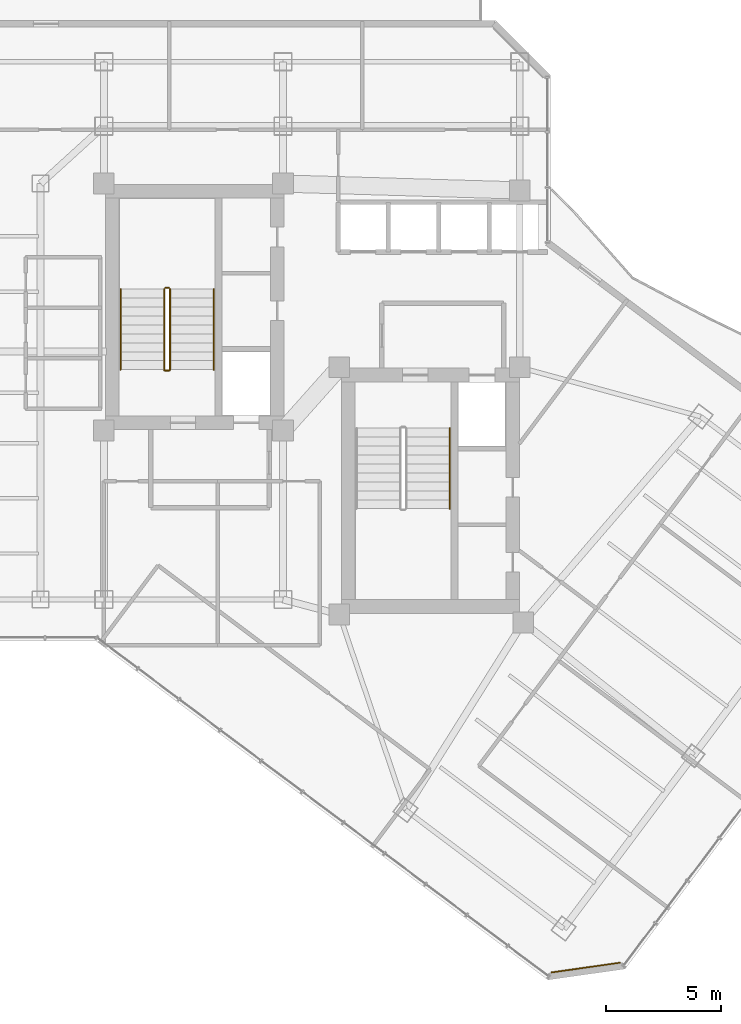
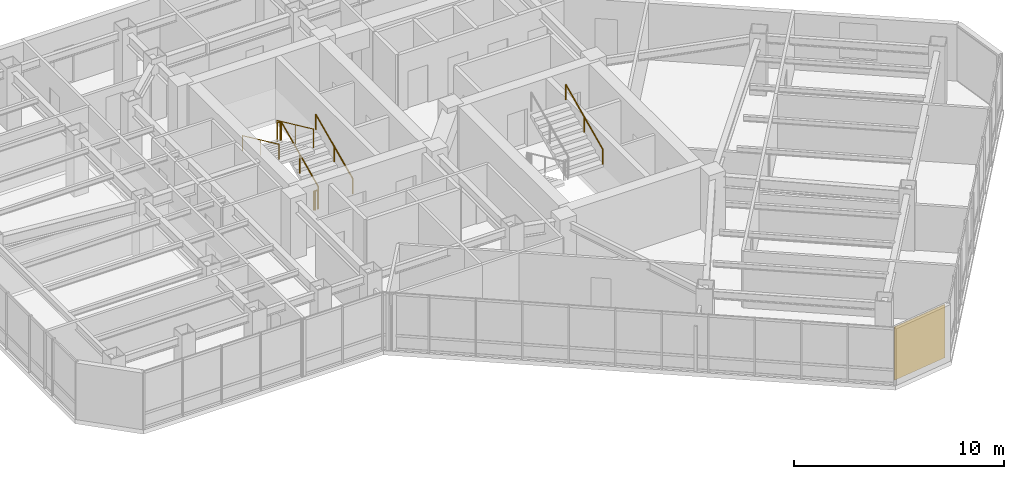
# One storey, part 28 of 29: 8 railings, 1 covering.
"""IFC4 building model written with IfcOpenShell, lengths in metres."""

from ifc_helpers import new_model, si_unit, direction, frame, origin, origin_2d, place, context, subcontext, project, spatial, rectangle, circle, extrude, material, layer, layer_set, type_object, element, save


model = new_model("IFC4")

# Units and contexts
model_context = context("Model", 3, precision=1e-05, world=origin(), true_north=direction((0.0, 1.0)))
body_context = subcontext(model_context, "Body", "Model", "MODEL_VIEW")
ifc_project = project(units=[si_unit("LENGTHUNIT", "METRE"), si_unit("AREAUNIT", "SQUARE_METRE"), si_unit("VOLUMEUNIT", "CUBIC_METRE"), si_unit("PLANEANGLEUNIT", "RADIAN"), si_unit("MASSUNIT", "GRAM", prefix="KILO")], contexts=[model_context])

# Site, building, storey
site_placement = place(None, origin())
site = spatial("IfcSite", under=ifc_project, at=site_placement, CompositionType="ELEMENT")
building_placement = place(site_placement, origin())
building = spatial("IfcBuilding", under=site, at=building_placement, Name="Hatsunagi Terrace Concourse", CompositionType="ELEMENT")
storey_placement = place(building_placement, frame((0.0, 0.0, 178.050048828125)))
storey = spatial("IfcBuildingStorey", under=building, at=storey_placement, Name="L47", CompositionType="ELEMENT", Elevation=178.050048828125)

# Railings
ifc_material_1 = material(Name="Stainless steel", Category="steel")
ifc_layer_1 = layer(ifc_material_1, 0.044921875)
ifc_layer_set_1 = layer_set([ifc_layer_1], Name="StairPitchHandrail_Tower2000")
railing_type_1 = type_object("IfcRailingType", Name="StairPitchHandrail_Tower2000", PredefinedType="HANDRAIL", material=ifc_layer_set_1)
railing_1_placement = place(storey_placement, frame((30.330078125, 35.199951171875, 0.179931640625)))
element("IfcRailing", 1, at=railing_1_placement, inside=storey, type_object=railing_type_1, Name="L47 ST-A stair handrail 1", PredefinedType="HANDRAIL", context=body_context, shape_type="SweptSolid", body=[
    extrude(circle(Radius=0.02392578125, at=origin_2d()), frame((0.0, 0.0, 0.8759765625), z_axis=(0.0, 0.907948293929, 0.419082206198), x_axis=(-1.0, 0.0, 0.0)), (0.0, 0.0, 1.0), 3.865966796875),
    extrude(circle(Radius=0.02099609375, at=origin_2d()), origin(), (0.0, 0.0, 1.0), 0.851806640625),
    extrude(circle(Radius=0.02099609375, at=origin_2d()), frame((0.0, 1.7548828125, 0.81005859375)), (0.0, 0.0, 1.0), 0.851806640625),
    extrude(circle(Radius=0.02099609375, at=origin_2d()), frame((0.0, 3.510009765625, 1.6201171875)), (0.0, 0.0, 1.0), 0.851806640625),
])
railing_2_placement = place(storey_placement, frame((26.280029296875, 38.7099609375, 1.97998046875)))
element("IfcRailing", 2, at=railing_2_placement, inside=storey, type_object=railing_type_1, Name="L47 ST-A stair handrail 2", PredefinedType="HANDRAIL", context=body_context, shape_type="SweptSolid", body=[
    extrude(circle(Radius=0.02392578125, at=origin_2d()), frame((0.0, 0.0, 0.8759765625), z_axis=(0.0, -0.907972323039, 0.419030142823), x_axis=(1.0, 0.0, 0.0)), (0.0, 0.0, 1.0), 3.86572265625),
    extrude(circle(Radius=0.02099609375, at=origin_2d()), origin(), (0.0, 0.0, 1.0), 0.851806640625),
    extrude(circle(Radius=0.02099609375, at=origin_2d()), frame((0.0, -1.7548828125, 0.81005859375)), (0.0, 0.0, 1.0), 0.851806640625),
    extrude(circle(Radius=0.02099609375, at=origin_2d()), frame((0.0, -3.510009765625, 1.619873046875)), (0.0, 0.0, 1.0), 0.851806640625),
])
railing_3_placement = place(storey_placement, frame((40.60009765625, 29.14990234375, 1.97998046875)))
element("IfcRailing", 3, at=railing_3_placement, inside=storey, type_object=railing_type_1, Name="L47 ST-B stair handrail 2", PredefinedType="HANDRAIL", context=body_context, shape_type="SweptSolid", body=[
    extrude(circle(Radius=0.02392578125, at=origin_2d()), frame((0.0, 0.0, 0.8759765625), z_axis=(0.0, 0.907972323039, 0.419030142823), x_axis=(-1.0, 0.0, 0.0)), (0.0, 0.0, 1.0), 3.86572265625),
    extrude(circle(Radius=0.02099609375, at=origin_2d()), origin(), (0.0, 0.0, 1.0), 0.851806640625),
    extrude(circle(Radius=0.02099609375, at=origin_2d()), frame((0.0, 1.7548828125, 0.81005859375)), (0.0, 0.0, 1.0), 0.851806640625),
    extrude(circle(Radius=0.02099609375, at=origin_2d()), frame((0.0, 3.510009765625, 1.619873046875)), (0.0, 0.0, 1.0), 0.851806640625),
])
ifc_material_2 = material(Name="Stainless steel", Category="steel")
ifc_layer_2 = layer(ifc_material_2, 0.06005859375)
ifc_layer_set_2 = layer_set([ifc_layer_2], Name="StairWellGuard_Tower2000")
railing_type_2 = type_object("IfcRailingType", Name="StairWellGuard_Tower2000", PredefinedType="BALUSTRADE", material=ifc_layer_set_2)
railing_4_placement = place(storey_placement, frame((28.429931640625, 35.199951171875, 0.179931640625)))
element("IfcRailing", 4, at=railing_4_placement, inside=storey, type_object=railing_type_2, Name="L47 ST-A stair guard 1", PredefinedType="BALUSTRADE", context=body_context, shape_type="SweptSolid", body=[
    extrude(circle(Radius=0.02392578125, at=origin_2d()), frame((0.0, 0.0, 1.09619140625), z_axis=(0.0, 0.907948293929, 0.419082206198), x_axis=(-1.0, 0.0, 0.0)), (0.0, 0.0, 1.0), 3.865966796875),
    extrude(circle(Radius=0.02099609375, at=origin_2d()), origin(), (0.0, 0.0, 1.0), 1.072021484375),
    extrude(circle(Radius=0.02099609375, at=origin_2d()), frame((0.0, 1.7548828125, 0.81005859375)), (0.0, 0.0, 1.0), 1.072021484375),
    extrude(circle(Radius=0.02099609375, at=origin_2d()), frame((0.0, 3.510009765625, 1.6201171875)), (0.0, 0.0, 1.0), 1.072021484375),
])
railing_5_placement = place(storey_placement, frame((28.3798828125, 38.760009765625, 1.800048828125)))
element("IfcRailing", 5, at=railing_5_placement, inside=storey, type_object=railing_type_2, Name="L47 ST-A stair guard 2", PredefinedType="BALUSTRADE", context=body_context, shape_type="SweptSolid", body=[
    extrude(circle(Radius=0.02392578125, at=origin_2d()), frame((0.0, 0.0, 1.09619140625), z_axis=(-1.0, 0.0, 0.0), x_axis=(0.0, -1.0, 0.0)), (0.0, 0.0, 1.0), 0.14990234375),
    extrude(circle(Radius=0.02099609375, at=origin_2d()), origin(), (0.0, 0.0, 1.0), 1.072021484375),
    extrude(circle(Radius=0.02099609375, at=origin_2d()), frame((-0.14990234375, 0.0, 0.0)), (0.0, 0.0, 1.0), 1.072021484375),
])
railing_6_placement = place(storey_placement, frame((28.179931640625, 38.7099609375, 1.97998046875)))
element("IfcRailing", 6, at=railing_6_placement, inside=storey, type_object=railing_type_2, Name="L47 ST-A stair guard 3", PredefinedType="BALUSTRADE", context=body_context, shape_type="SweptSolid", body=[
    extrude(circle(Radius=0.02392578125, at=origin_2d()), frame((0.0, 0.0, 1.09619140625), z_axis=(0.0, -0.907972323039, 0.419030142823), x_axis=(1.0, 0.0, 0.0)), (0.0, 0.0, 1.0), 3.86572265625),
    extrude(circle(Radius=0.02099609375, at=origin_2d()), origin(), (0.0, 0.0, 1.0), 1.072021484375),
    extrude(circle(Radius=0.02099609375, at=origin_2d()), frame((0.0, -1.7548828125, 0.81005859375)), (0.0, 0.0, 1.0), 1.072021484375),
    extrude(circle(Radius=0.02099609375, at=origin_2d()), frame((0.0, -3.510009765625, 1.619873046875)), (0.0, 0.0, 1.0), 1.072021484375),
])
railing_7_placement = place(storey_placement, frame((28.3798828125, 35.14990234375, 0.0)))
element("IfcRailing", 7, at=railing_7_placement, inside=storey, type_object=railing_type_2, Name="L47 ST-A stair guard 4", PredefinedType="BALUSTRADE", context=body_context, shape_type="SweptSolid", body=[
    extrude(circle(Radius=0.02392578125, at=origin_2d()), frame((0.0, 0.0, 1.09619140625), z_axis=(-1.0, 0.0, 0.0), x_axis=(0.0, -1.0, 0.0)), (0.0, 0.0, 1.0), 0.14990234375),
    extrude(circle(Radius=0.02099609375, at=origin_2d()), origin(), (0.0, 0.0, 1.0), 1.072021484375),
    extrude(circle(Radius=0.02099609375, at=origin_2d()), frame((-0.14990234375, 0.0, 0.0)), (0.0, 0.0, 1.0), 1.072021484375),
])
ifc_material_3 = material(Name="Stainless Steel SUS316 Post-and-Rail Guard", Category="steel")
ifc_layer_3 = layer(ifc_material_3, 0.080078125)
ifc_layer_set_3 = layer_set([ifc_layer_3], Name="TerracePlantedGuardRail_1200")
railing_type_3 = type_object("IfcRailingType", Name="TerracePlantedGuardRail_1200", PredefinedType="GUARDRAIL", material=ifc_layer_set_3)
railing_8_placement = place(storey_placement, frame((28.179931640625, 35.179931640625, 0.0)))
element("IfcRailing", 8, at=railing_8_placement, inside=storey, type_object=railing_type_3, Name="Stair ST-A Well Closure Guard L47", PredefinedType="GUARDRAIL", context=body_context, shape_type="SweptSolid", body=[
    extrude(circle(Radius=0.02392578125, at=origin_2d()), frame((0.0, 0.0, 1.09619140625), z_axis=(1.0, 0.0, 0.0), x_axis=(0.0, 1.0, 0.0)), (0.0, 0.0, 1.0), 0.25),
    extrude(circle(Radius=0.02099609375, at=origin_2d()), origin(), (0.0, 0.0, 1.0), 1.072021484375),
    extrude(circle(Radius=0.02099609375, at=origin_2d()), frame((0.25, 0.0, 0.0)), (0.0, 0.0, 1.0), 1.072021484375),
])

# Covering
ifc_material_4 = material(Name="Unglazed Warm Terracotta Rainscreen Tile", Category="masonry")
ifc_layer_4 = layer(ifc_material_4, 0.044921875)
ifc_layer_set_4 = layer_set([ifc_layer_4], Name="TerracottaRainscreenCladding_45")
covering_type = type_object("IfcCoveringType", Name="TerracottaRainscreenCladding_45", PredefinedType="CLADDING", material=ifc_layer_set_4)
covering_placement = place(storey_placement, frame((46.51806640625, 9.178955078125, 0.099853515625), z_axis=(0.0, 0.0, 1.0), x_axis=(-0.989973920543, -0.141250262458, 0.0)))
element("IfcCovering", 9, at=covering_placement, inside=storey, type_object=covering_type, Name="Terracotta Rainscreen Cladding L47-04", PredefinedType="CLADDING", context=body_context, shape_type="SweptSolid", body=[
    extrude(rectangle(XDim=3.0380859375, YDim=0.044921875, at=origin_2d()), origin(), (0.0, 0.0, 1.0), 3.10009765625),
])

save(model, "model.ifc")
